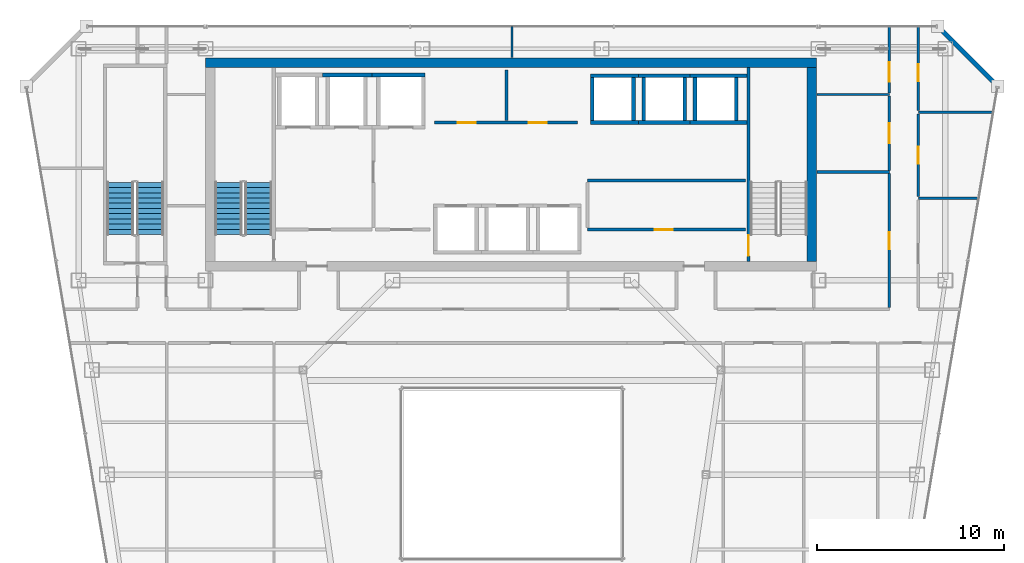
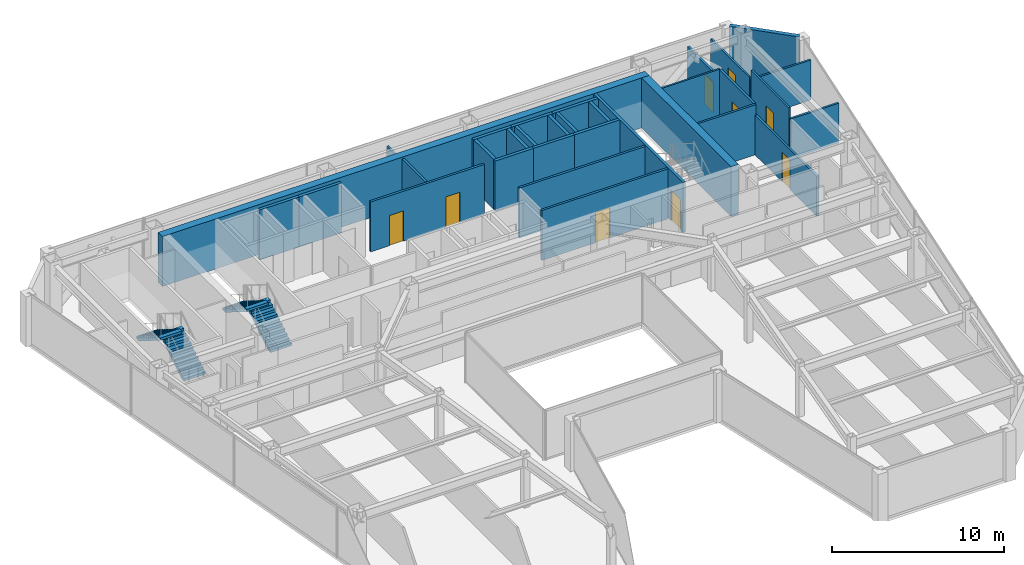
# One storey, part 32 of 36: 32 walls, 9 doors, 4 stair flights, 9 openings, 2 elements without a shape of their own.
"""IFC4 building model written with IfcOpenShell, lengths in metres."""

from ifc_helpers import new_model, si_unit, direction, frame, frame_2d, origin, place, context, subcontext, project, spatial, polyline, rectangle, outline, extrude, material, layer, layer_set, type_object, element, fill, aggregate, save


model = new_model("IFC4")

# Units and contexts
model_context = context("Model", 3, precision=1e-05, world=origin(), true_north=direction((0.0, 1.0)))
body_context = subcontext(model_context, "Body", "Model", "MODEL_VIEW")
ifc_project = project(units=[si_unit("LENGTHUNIT", "METRE"), si_unit("AREAUNIT", "SQUARE_METRE"), si_unit("VOLUMEUNIT", "CUBIC_METRE"), si_unit("PLANEANGLEUNIT", "RADIAN"), si_unit("MASSUNIT", "GRAM", prefix="KILO")], contexts=[model_context])

# Site, building, storey
site_placement = place(None, origin())
site = spatial("IfcSite", under=ifc_project, at=site_placement, CompositionType="ELEMENT")
building_placement = place(site_placement, origin())
building = spatial("IfcBuilding", under=site, at=building_placement, Name="Saevonmaru Cultural Tower", CompositionType="ELEMENT")
storey_placement = place(building_placement, frame((0.0, 0.0, 209.39990234375)))
storey = spatial("IfcBuildingStorey", under=building, at=storey_placement, Name="L48", CompositionType="ELEMENT", Elevation=209.39990234375)

# Walls
ifc_material_1 = material(Name="Concrete C60/75", Category="concrete")
ifc_layer_1 = layer(ifc_material_1, 0.5, Name="Concrete C60/75")
ifc_layer_set_1 = layer_set([ifc_layer_1], Name="Concrete C60/75")
wall_type_1 = type_object("IfcWallType", Name="WL-CORE-500", PredefinedType="SHEAR", material=ifc_layer_set_1)
wall_1_placement = place(storey_placement, frame((13.60009765625, 54.050048828125, 0.0), z_axis=(0.0, 0.0, 1.0), x_axis=(1.0, 0.0, 0.0)))
element("IfcWall", 1, at=wall_1_placement, inside=storey, type_object=wall_type_1, Name="L48 Tower RC core shear wall N", PredefinedType="SHEAR", context=body_context, shape_type="SweptSolid", body=[
    extrude(rectangle(XDim=32.699951171875, YDim=0.5, at=frame_2d((16.35009765625, 0.0))), origin(), (0.0, 0.0, 1.0), 3.550048828125),
])
wall_2_placement = place(storey_placement, frame((46.050048828125, 43.39990234375, 0.0), z_axis=(0.0, 0.0, 1.0), x_axis=(0.0, 1.0, 0.0)))
element("IfcWall", 2, at=wall_2_placement, inside=storey, type_object=wall_type_1, Name="L48 Tower RC core shear wall E", PredefinedType="SHEAR", context=body_context, shape_type="SweptSolid", body=[
    extrude(rectangle(XDim=10.400146484375, YDim=0.5, at=frame_2d((5.2001953125, 0.0))), origin(), (0.0, 0.0, 1.0), 3.550048828125),
])

# Wall, opening, door
ifc_material_2 = material(Name="Gypsum Fireboard Partition", Category="gypsum")
ifc_layer_2 = layer(ifc_material_2, 0.14990234375, Name="Gypsum Fireboard Partition")
ifc_layer_set_2 = layer_set([ifc_layer_2], Name="Gypsum Fireboard Partition")
wall_type_2 = type_object("IfcWallType", Name="WL-CORE-PART-150", PredefinedType="PARTITIONING", material=ifc_layer_set_2)
wall_3_placement = place(storey_placement, frame((34.050048828125, 45.1201171875, 0.0), z_axis=(0.0, 0.0, 1.0), x_axis=(1.0, 0.0, 0.0)))
wall_3 = element("IfcWall", 3, at=wall_3_placement, inside=storey, type_object=wall_type_2, Name="L48 Core Service South Wall", PredefinedType="PARTITIONING", context=body_context, shape_type="SweptSolid", body=[
    extrude(rectangle(XDim=8.449951171875, YDim=0.14990234375, at=frame_2d((4.22509765625, 0.0))), origin(), (0.0, 0.0, 1.0), 3.550048828125),
])
opening_1_placement = place(wall_3_placement, frame((3.60009765625, 0.0, 0.0)))
opening_1 = element("IfcOpeningElement", 4, at=opening_1_placement, cuts=wall_3, Name="Opening FD-4", PredefinedType="OPENING", context=body_context, shape_type="SweptSolid", body=[
    extrude(rectangle(XDim=0.949951171875, YDim=2.14990234375, at=frame_2d((0.47509765625, 1.074951171875))), frame((0.0, 0.0849609375, 0.0), z_axis=(0.0, -1.0, 0.0), x_axis=(1.0, 0.0, 0.0)), (0.0, 0.0, 1.0), 0.169921875),
])
ifc_material_3 = material(Name="Satin Bronze Anodised Aluminium", Category="aluminium")
door_type_1 = type_object("IfcDoorType", Name="DR-FD60-950", OperationType="SINGLE_SWING_LEFT", PredefinedType="DOOR", material=ifc_material_3)
door_1_placement = place(opening_1_placement, origin())
door_1 = element("IfcDoor", 5, at=door_1_placement, inside=storey, type_object=door_type_1, Name="L48 Telecom Riser Plant Door", OperationType="SINGLE_SWING_LEFT", OverallHeight=2.14990234375, OverallWidth=0.949951171875, PredefinedType="DOOR", context=body_context, shape_type="SweptSolid", body=[
    extrude(rectangle(XDim=0.949951171875, YDim=2.14990234375, at=frame_2d((0.47509765625, 1.074951171875))), frame((0.0, 0.02490234375, 0.0), z_axis=(0.0, -1.0, 0.0), x_axis=(1.0, 0.0, 0.0)), (0.0, 0.0, 1.0), 0.050048828125),
])
fill(opening_1, door_1)

# Wall
wall_4_placement = place(storey_placement, frame((34.050048828125, 47.75, 0.0), z_axis=(0.0, 0.0, 1.0), x_axis=(1.0, 0.0, 0.0)))
element("IfcWall", 6, at=wall_4_placement, inside=storey, type_object=wall_type_2, Name="L48 Core Service North Wall", PredefinedType="PARTITIONING", context=body_context, shape_type="SweptSolid", body=[
    extrude(rectangle(XDim=8.449951171875, YDim=0.14990234375, at=frame_2d((4.22509765625, 0.0))), origin(), (0.0, 0.0, 1.0), 3.550048828125),
])

# Wall, openings, doors
wall_5_placement = place(storey_placement, frame((25.85009765625, 50.85009765625, 0.0), z_axis=(0.0, 0.0, 1.0), x_axis=(1.0, 0.0, 0.0)))
wall_5 = element("IfcWall", 7, at=wall_5_placement, inside=storey, type_object=wall_type_2, Name="L48 Reclaimed Core Room South Wall", PredefinedType="PARTITIONING", context=body_context, shape_type="SweptSolid", body=[
    extrude(rectangle(XDim=7.64990234375, YDim=0.14990234375, at=frame_2d((3.824951171875, 0.0))), origin(), (0.0, 0.0, 1.0), 3.550048828125),
])
opening_2_placement = place(wall_5_placement, frame((1.25, 0.0, 0.0)))
opening_2 = element("IfcOpeningElement", 8, at=opening_2_placement, cuts=wall_5, Name="Opening FD-4", PredefinedType="OPENING", context=body_context, shape_type="SweptSolid", body=[
    extrude(rectangle(XDim=0.949951171875, YDim=2.14990234375, at=frame_2d((0.47509765625, 1.074951171875))), frame((0.0, 0.0849609375, 0.0), z_axis=(0.0, -1.0, 0.0), x_axis=(1.0, 0.0, 0.0)), (0.0, 0.0, 1.0), 0.169921875),
])
opening_3_placement = place(wall_5_placement, frame((5.050048828125, 0.0, 0.0)))
opening_3 = element("IfcOpeningElement", 9, at=opening_3_placement, cuts=wall_5, Name="Opening FD-4", PredefinedType="OPENING", context=body_context, shape_type="SweptSolid", body=[
    extrude(rectangle(XDim=0.949951171875, YDim=2.14990234375, at=frame_2d((0.47509765625, 1.074951171875))), frame((0.0, 0.0849609375, 0.0), z_axis=(0.0, -1.0, 0.0), x_axis=(1.0, 0.0, 0.0)), (0.0, 0.0, 1.0), 0.169921875),
])
door_2_placement = place(opening_2_placement, origin())
door_2 = element("IfcDoor", 10, at=door_2_placement, inside=storey, type_object=door_type_1, Name="L48 Reclaimed Archive Vault Door", OperationType="SINGLE_SWING_LEFT", OverallHeight=2.14990234375, OverallWidth=0.949951171875, PredefinedType="DOOR", context=body_context, shape_type="SweptSolid", body=[
    extrude(rectangle(XDim=0.949951171875, YDim=2.14990234375, at=frame_2d((0.47509765625, 1.074951171875))), frame((0.0, 0.02490234375, 0.0), z_axis=(0.0, -1.0, 0.0), x_axis=(1.0, 0.0, 0.0)), (0.0, 0.0, 1.0), 0.050048828125),
])
fill(opening_2, door_2)
door_3_placement = place(opening_3_placement, origin())
door_3 = element("IfcDoor", 11, at=door_3_placement, inside=storey, type_object=door_type_1, Name="L48 Reclaimed Conservation Storage Door", OperationType="SINGLE_SWING_LEFT", OverallHeight=2.14990234375, OverallWidth=0.949951171875, PredefinedType="DOOR", context=body_context, shape_type="SweptSolid", body=[
    extrude(rectangle(XDim=0.949951171875, YDim=2.14990234375, at=frame_2d((0.47509765625, 1.074951171875))), frame((0.0, 0.02490234375, 0.0), z_axis=(0.0, -1.0, 0.0), x_axis=(1.0, 0.0, 0.0)), (0.0, 0.0, 1.0), 0.050048828125),
])
fill(opening_3, door_3)

# Walls
wall_6_placement = place(storey_placement, frame((29.699951171875, 50.949951171875, 0.0), z_axis=(0.0, 0.0, 1.0), x_axis=(0.0, 1.0, 0.0)))
element("IfcWall", 12, at=wall_6_placement, inside=storey, type_object=wall_type_2, Name="L48 Reclaimed Vault Split", PredefinedType="PARTITIONING", context=body_context, shape_type="SweptSolid", body=[
    extrude(rectangle(XDim=2.699951171875, YDim=0.14990234375, at=frame_2d((1.35009765625, 0.0))), origin(), (0.0, 0.0, 1.0), 3.550048828125),
])
ifc_material_4 = material(Name="Granite-Clad Precast Concrete C40/50", Category="masonry")
ifc_layer_3 = layer(ifc_material_4, 0.260009765625, Name="Granite-Clad Precast Concrete C40/50")
ifc_layer_set_3 = layer_set([ifc_layer_3], Name="Granite-Clad Precast Concrete C40/50")
wall_type_3 = type_object("IfcWallType", Name="WL-EXT-SPANDREL-260", PredefinedType="STANDARD", material=ifc_layer_set_3)
wall_7_placement = place(storey_placement, frame((55.886962890625, 52.9130859375, 0.0), z_axis=(0.0, 0.0, 1.0), x_axis=(-0.707106781187, 0.707106781187, 0.0)))
element("IfcWall", 13, at=wall_7_placement, inside=storey, type_object=wall_type_3, Name="L48 Chamfer Corner Spandrel Wall E9", PredefinedType="STANDARD", context=body_context, shape_type="SweptSolid", body=[
    extrude(rectangle(XDim=4.205810546875, YDim=0.260009765625, at=frame_2d((2.10302734375, 0.0))), origin(), (0.0, 0.0, 1.0), 3.550048828125),
])

# Wall, opening, door
ifc_layer_4 = layer(ifc_material_2, 0.14990234375, Name="Gypsum Fireboard Partition")
ifc_layer_set_4 = layer_set([ifc_layer_4], Name="Gypsum Fireboard Partition")
wall_type_4 = type_object("IfcWallType", Name="WL-PART-FIRE-150", PredefinedType="PARTITIONING", material=ifc_layer_set_4)
wall_8_placement = place(storey_placement, frame((50.199951171875, 48.2900390625, 0.0), z_axis=(0.0, 0.0, 1.0), x_axis=(0.0, 1.0, 0.0)))
wall_8 = element("IfcWall", 14, at=wall_8_placement, inside=storey, type_object=wall_type_4, Name="L48 Permanent Exhibition Gallery Corridor Wall", PredefinedType="PARTITIONING", context=body_context, shape_type="SweptSolid", body=[
    extrude(rectangle(XDim=3.97998046875, YDim=0.14990234375, at=frame_2d((1.989990234375, 0.0))), origin(), (0.0, 0.0, 1.0), 3.550048828125),
])
opening_4_placement = place(wall_8_placement, frame((1.465087890625, 0.0, 0.0)))
opening_4 = element("IfcOpeningElement", 15, at=opening_4_placement, cuts=wall_8, Name="Opening ID-1", PredefinedType="OPENING", context=body_context, shape_type="SweptSolid", body=[
    extrude(rectangle(XDim=1.050048828125, YDim=2.14990234375, at=frame_2d((0.52490234375, 1.074951171875))), frame((0.0, 0.0849609375, 0.0), z_axis=(0.0, -1.0, 0.0), x_axis=(1.0, 0.0, 0.0)), (0.0, 0.0, 1.0), 0.169921875),
])
door_type_2 = type_object("IfcDoorType", Name="DR-INT-1050", OperationType="SINGLE_SWING_LEFT", PredefinedType="DOOR", material=ifc_material_3)
door_4_placement = place(opening_4_placement, origin())
door_4 = element("IfcDoor", 16, at=door_4_placement, inside=storey, type_object=door_type_2, Name="L48 Permanent Exhibition Gallery Door", OperationType="SINGLE_SWING_LEFT", OverallHeight=2.14990234375, OverallWidth=1.050048828125, PredefinedType="DOOR", context=body_context, shape_type="SweptSolid", body=[
    extrude(rectangle(XDim=1.050048828125, YDim=2.14990234375, at=frame_2d((0.52490234375, 1.074951171875))), frame((0.0, 0.02490234375, 0.0), z_axis=(0.0, -1.0, 0.0), x_axis=(1.0, 0.0, 0.0)), (0.0, 0.0, 1.0), 0.050048828125),
])
fill(opening_4, door_4)

wall_9_placement = place(storey_placement, frame((50.199951171875, 52.429931640625, 0.0), z_axis=(0.0, 0.0, 1.0), x_axis=(0.0, 1.0, 0.0)))
wall_9 = element("IfcWall", 17, at=wall_9_placement, inside=storey, type_object=wall_type_4, Name="L48 Contemporary Photography Gallery Corridor Wall", PredefinedType="PARTITIONING", context=body_context, shape_type="SweptSolid", body=[
    extrude(rectangle(XDim=3.565185546875, YDim=0.14990234375, at=frame_2d((1.78271484375, 0.0))), origin(), (0.0, 0.0, 1.0), 2.93505859375),
])
opening_5_placement = place(wall_9_placement, frame((0.596923828125, 0.0, 0.0)))
opening_5 = element("IfcOpeningElement", 18, at=opening_5_placement, cuts=wall_9, Name="Opening ID-1", PredefinedType="OPENING", context=body_context, shape_type="SweptSolid", body=[
    extrude(rectangle(XDim=1.050048828125, YDim=2.14990234375, at=frame_2d((0.52490234375, 1.074951171875))), frame((0.0, 0.0849609375, 0.0), z_axis=(0.0, -1.0, 0.0), x_axis=(1.0, 0.0, 0.0)), (0.0, 0.0, 1.0), 0.169921875),
])
door_5_placement = place(opening_5_placement, origin())
door_5 = element("IfcDoor", 19, at=door_5_placement, inside=storey, type_object=door_type_2, Name="L48 Contemporary Photography Gallery Door", OperationType="SINGLE_SWING_RIGHT", OverallHeight=2.14990234375, OverallWidth=1.050048828125, PredefinedType="DOOR", context=body_context, shape_type="SweptSolid", body=[
    extrude(rectangle(XDim=1.050048828125, YDim=2.14990234375, at=frame_2d((0.52490234375, 1.074951171875))), frame((0.0, 0.02490234375, 0.0), z_axis=(0.0, -1.0, 0.0), x_axis=(1.0, 0.0, 0.0)), (0.0, 0.0, 1.0), 0.050048828125),
])
fill(opening_5, door_5)

# Walls
ifc_layer_5 = layer(ifc_material_2, 0.1201171875, Name="Gypsum Fireboard Partition")
ifc_layer_set_5 = layer_set([ifc_layer_5], Name="Gypsum Fireboard Partition")
wall_type_5 = type_object("IfcWallType", Name="WL-PART-GYP-120", PredefinedType="PARTITIONING", material=ifc_layer_set_5)
wall_10_placement = place(storey_placement, frame((46.320068359375, 52.35009765625, 0.0), z_axis=(0.0, 0.0, 1.0), x_axis=(1.0, 0.0, 0.0)))
element("IfcWall", 20, at=wall_10_placement, inside=storey, type_object=wall_type_5, Name="L48 North-East Panorama South Wall", PredefinedType="PARTITIONING", context=body_context, shape_type="SweptSolid", body=[
    extrude(rectangle(XDim=3.8798828125, YDim=0.1201171875, at=frame_2d((1.93994140625, 0.0))), origin(), (0.0, 0.0, 1.0), 3.550048828125),
])
wall_11_placement = place(storey_placement, frame((30.0, 54.320068359375, 0.0), z_axis=(0.0, 0.0, 1.0), x_axis=(0.0, 1.0, 0.0)))
element("IfcWall", 21, at=wall_11_placement, inside=storey, type_object=wall_type_5, Name="L48 North Panorama Center Split", PredefinedType="PARTITIONING", context=body_context, shape_type="SweptSolid", body=[
    extrude(rectangle(XDim=1.675048828125, YDim=0.1201171875, at=frame_2d((0.83740234375, 0.0))), origin(), (0.0, 0.0, 1.0), 2.93505859375),
])

# Wall, opening, door
wall_12_placement = place(storey_placement, frame((51.75, 46.887451171875, 0.0), z_axis=(0.0, 0.0, 1.0), x_axis=(0.0, 1.0, 0.0)))
wall_12 = element("IfcWall", 22, at=wall_12_placement, inside=storey, type_object=wall_type_5, Name="L48 Urban Design Meeting Room Corridor Wall", PredefinedType="PARTITIONING", context=body_context, shape_type="SweptSolid", body=[
    extrude(rectangle(XDim=4.425048828125, YDim=0.1201171875, at=frame_2d((2.21240234375, 0.0))), origin(), (0.0, 0.0, 1.0), 3.550048828125),
])
opening_6_placement = place(wall_12_placement, frame((1.761962890625, 0.0, 0.0)))
opening_6 = element("IfcOpeningElement", 23, at=opening_6_placement, cuts=wall_12, Name="Opening ID-2", PredefinedType="OPENING", context=body_context, shape_type="SweptSolid", body=[
    extrude(rectangle(XDim=0.89990234375, YDim=2.10009765625, at=frame_2d((0.449951171875, 1.050048828125))), frame((0.0, 0.070068359375, 0.0), z_axis=(0.0, -1.0, 0.0), x_axis=(1.0, 0.0, 0.0)), (0.0, 0.0, 1.0), 0.14013671875),
])
ifc_material_5 = material(Name="Acoustic Stained Oak Timber", Category="wood")
door_type_3 = type_object("IfcDoorType", Name="DR-INT-900", OperationType="SINGLE_SWING_RIGHT", PredefinedType="DOOR", material=ifc_material_5)
door_6_placement = place(opening_6_placement, origin())
door_6 = element("IfcDoor", 24, at=door_6_placement, inside=storey, type_object=door_type_3, Name="L48 Urban Design Meeting Room Door", OperationType="SINGLE_SWING_RIGHT", OverallHeight=2.10009765625, OverallWidth=0.89990234375, PredefinedType="DOOR", context=body_context, shape_type="SweptSolid", body=[
    extrude(rectangle(XDim=0.89990234375, YDim=2.10009765625, at=frame_2d((0.449951171875, 1.050048828125))), frame((0.0, 0.02490234375, 0.0), z_axis=(0.0, -1.0, 0.0), x_axis=(1.0, 0.0, 0.0)), (0.0, 0.0, 1.0), 0.050048828125),
])
fill(opening_6, door_6)

wall_13_placement = place(storey_placement, frame((51.75, 51.487548828125, 0.0), z_axis=(0.0, 0.0, 1.0), x_axis=(0.0, 1.0, 0.0)))
wall_13 = element("IfcWall", 25, at=wall_13_placement, inside=storey, type_object=wall_type_5, Name="L48 Calligraphy Teaching Studio Corridor Wall", PredefinedType="PARTITIONING", context=body_context, shape_type="SweptSolid", body=[
    extrude(rectangle(XDim=4.507568359375, YDim=0.1201171875, at=frame_2d((2.25390625, 0.0))), origin(), (0.0, 0.0, 1.0), 2.93505859375),
])
opening_7_placement = place(wall_13_placement, frame((1.583984375, 0.0, 0.0)))
opening_7 = element("IfcOpeningElement", 26, at=opening_7_placement, cuts=wall_13, Name="Opening ID-2", PredefinedType="OPENING", context=body_context, shape_type="SweptSolid", body=[
    extrude(rectangle(XDim=0.89990234375, YDim=2.10009765625, at=frame_2d((0.449951171875, 1.050048828125))), frame((0.0, 0.070068359375, 0.0), z_axis=(0.0, -1.0, 0.0), x_axis=(1.0, 0.0, 0.0)), (0.0, 0.0, 1.0), 0.14013671875),
])
door_7_placement = place(opening_7_placement, origin())
door_7 = element("IfcDoor", 27, at=door_7_placement, inside=storey, type_object=door_type_3, Name="L48 Calligraphy Teaching Studio Door", OperationType="SINGLE_SWING_LEFT", OverallHeight=2.10009765625, OverallWidth=0.89990234375, PredefinedType="DOOR", context=body_context, shape_type="SweptSolid", body=[
    extrude(rectangle(XDim=0.89990234375, YDim=2.10009765625, at=frame_2d((0.449951171875, 1.050048828125))), frame((0.0, 0.02490234375, 0.0), z_axis=(0.0, -1.0, 0.0), x_axis=(1.0, 0.0, 0.0)), (0.0, 0.0, 1.0), 0.050048828125),
])
fill(opening_7, door_7)

# Walls
ifc_layer_6 = layer(ifc_material_2, 0.135009765625, Name="Gypsum Fireboard Partition")
ifc_layer_set_6 = layer_set([ifc_layer_6], Name="Gypsum Fireboard Partition")
wall_type_6 = type_object("IfcWallType", Name="WL-PART-GYP-135", PredefinedType="PARTITIONING", material=ifc_layer_set_6)
wall_14_placement = place(storey_placement, frame((51.75, 46.800048828125, 0.0), z_axis=(0.0, 0.0, 1.0), x_axis=(1.0, 0.0, 0.0)))
element("IfcWall", 28, at=wall_14_placement, inside=storey, type_object=wall_type_6, Name="L48 NE Studio Divider 1", PredefinedType="PARTITIONING", context=body_context, shape_type="SweptSolid", body=[
    extrude(rectangle(XDim=3.229248046875, YDim=0.135009765625, at=frame_2d((1.61474609375, 0.0))), origin(), (0.0, 0.0, 1.0), 2.835205078125),
])
wall_15_placement = place(storey_placement, frame((51.75, 51.39990234375, 0.0), z_axis=(0.0, 0.0, 1.0), x_axis=(1.0, 0.0, 0.0)))
element("IfcWall", 29, at=wall_15_placement, inside=storey, type_object=wall_type_6, Name="L48 NE Studio Divider 2", PredefinedType="PARTITIONING", context=body_context, shape_type="SweptSolid", body=[
    extrude(rectangle(XDim=4.0078125, YDim=0.135009765625, at=frame_2d((2.00390625, 0.0))), origin(), (0.0, 0.0, 1.0), 2.835205078125),
])
ifc_layer_7 = layer(ifc_material_2, 0.139892578125, Name="Gypsum Fireboard Partition")
ifc_layer_set_7 = layer_set([ifc_layer_7], Name="Gypsum Fireboard Partition")
wall_type_7 = type_object("IfcWallType", Name="WL-PART-WET-140", PredefinedType="PARTITIONING", material=ifc_layer_set_7)
wall_16_placement = place(storey_placement, frame((46.320068359375, 48.199951171875, 0.0), z_axis=(0.0, 0.0, 1.0), x_axis=(1.0, 0.0, 0.0)))
element("IfcWall", 30, at=wall_16_placement, inside=storey, type_object=wall_type_7, Name="L48 Washroom North Wall", PredefinedType="PARTITIONING", context=body_context, shape_type="SweptSolid", body=[
    extrude(rectangle(XDim=3.8798828125, YDim=0.139892578125, at=frame_2d((1.93994140625, 0.0))), origin(), (0.0, 0.0, 1.0), 3.550048828125),
])

# Wall, opening, door
wall_17_placement = place(storey_placement, frame((50.199951171875, 40.93994140625, 0.0), z_axis=(0.0, 0.0, 1.0), x_axis=(0.0, 1.0, 0.0)))
wall_17 = element("IfcWall", 31, at=wall_17_placement, inside=storey, type_object=wall_type_7, Name="L48 Washroom Corridor Wall", PredefinedType="PARTITIONING", context=body_context, shape_type="SweptSolid", body=[
    extrude(rectangle(XDim=7.170166015625, YDim=0.139892578125, at=frame_2d((3.5849609375, 0.0))), origin(), (0.0, 0.0, 1.0), 2.835205078125),
])
opening_8_placement = place(wall_17_placement, frame((3.135009765625, 0.0, 0.0)))
opening_8 = element("IfcOpeningElement", 32, at=opening_8_placement, cuts=wall_17, Name="Opening ID-2", PredefinedType="OPENING", context=body_context, shape_type="SweptSolid", body=[
    extrude(rectangle(XDim=0.89990234375, YDim=2.10009765625, at=frame_2d((0.449951171875, 1.050048828125))), frame((0.0, 0.080078125, 0.0), z_axis=(0.0, -1.0, 0.0), x_axis=(1.0, 0.0, 0.0)), (0.0, 0.0, 1.0), 0.159912109375),
])
door_8_placement = place(opening_8_placement, origin())
door_8 = element("IfcDoor", 33, at=door_8_placement, inside=storey, type_object=door_type_3, Name="L48 Public Accessible Washrooms Door", OperationType="SINGLE_SWING_RIGHT", OverallHeight=2.10009765625, OverallWidth=0.89990234375, PredefinedType="DOOR", context=body_context, shape_type="SweptSolid", body=[
    extrude(rectangle(XDim=0.89990234375, YDim=2.10009765625, at=frame_2d((0.449951171875, 1.050048828125))), frame((0.0, 0.02490234375, 0.0), z_axis=(0.0, -1.0, 0.0), x_axis=(1.0, 0.0, 0.0)), (0.0, 0.0, 1.0), 0.050048828125),
])
fill(opening_8, door_8)

# Walls
ifc_material_6 = material(Name="Concrete C40/50", Category="concrete")
ifc_layer_8 = layer(ifc_material_6, 0.199951171875, Name="Concrete C40/50")
ifc_layer_set_8 = layer_set([ifc_layer_8], Name="Concrete C40/50")
wall_type_8 = type_object("IfcWallType", Name="WL-SHAFT-200", PredefinedType="SHEAR", material=ifc_layer_set_8)
wall_18_placement = place(storey_placement, frame((19.85009765625, 53.39990234375, 0.0), z_axis=(0.0, 0.0, 1.0), x_axis=(1.0, 0.0, 0.0)))
element("IfcWall", 34, at=wall_18_placement, inside=storey, type_object=wall_type_8, Name="L48 Lift FFL-2 Hoistway Wall N", PredefinedType="SHEAR", context=body_context, shape_type="SweptSolid", body=[
    extrude(rectangle(XDim=2.64990234375, YDim=0.199951171875, at=frame_2d((1.324951171875, 0.0))), origin(), (0.0, 0.0, 1.0), 3.550048828125),
])
wall_19_placement = place(storey_placement, frame((22.5, 53.39990234375, 0.0), z_axis=(0.0, 0.0, 1.0), x_axis=(1.0, 0.0, 0.0)))
element("IfcWall", 35, at=wall_19_placement, inside=storey, type_object=wall_type_8, Name="L48 Lift GL-1 Hoistway Wall N", PredefinedType="SHEAR", context=body_context, shape_type="SweptSolid", body=[
    extrude(rectangle(XDim=2.85009765625, YDim=0.199951171875, at=frame_2d((1.425048828125, 0.0))), origin(), (0.0, 0.0, 1.0), 3.550048828125),
])
for number, where, z_axis, x_axis, name in (
    (36, (34.199951171875, 50.85009765625, 0.0), (0.0, 0.0, 1.0), (1.0, 0.0, 0.0), "L48 Lift PL-H1 Hoistway Wall S"),
    (37, (34.199951171875, 53.35009765625, 0.0), (0.0, 0.0, 1.0), (1.0, 0.0, 0.0), "L48 Lift PL-H1 Hoistway Wall N"),
):
    element("IfcWall", number, at=place(storey_placement, frame(where, z_axis=z_axis, x_axis=x_axis)), inside=storey, type_object=wall_type_8, Name=name, PredefinedType="SHEAR", context=body_context, shape_type="SweptSolid", body=[
        extrude(rectangle(XDim=2.574951171875, YDim=0.199951171875, at=frame_2d((1.28759765625, 0.0))), origin(), (0.0, 0.0, 1.0), 3.550048828125),
    ])
for number, where, z_axis, x_axis, name in (
    (38, (34.300048828125, 50.949951171875, 0.0), (0.0, 0.0, 1.0), (0.0, 1.0, 0.0), "L48 Lift PL-H1 Hoistway Wall W"),
    (39, (36.5, 50.949951171875, 0.0), (0.0, 0.0, 1.0), (0.0, 1.0, 0.0), "L48 Lift PL-H1 Hoistway Wall E"),
):
    element("IfcWall", number, at=place(storey_placement, frame(where, z_axis=z_axis, x_axis=x_axis)), inside=storey, type_object=wall_type_8, Name=name, PredefinedType="SHEAR", context=body_context, shape_type="SweptSolid", body=[
        extrude(rectangle(XDim=2.300048828125, YDim=0.199951171875, at=frame_2d((1.14990234375, 0.0))), origin(), (0.0, 0.0, 1.0), 3.550048828125),
    ])
for number, where, z_axis, x_axis, name in (
    (40, (36.77490234375, 50.85009765625, 0.0), (0.0, 0.0, 1.0), (1.0, 0.0, 0.0), "L48 Lift PL-H2 Hoistway Wall S"),
    (41, (36.77490234375, 53.35009765625, 0.0), (0.0, 0.0, 1.0), (1.0, 0.0, 0.0), "L48 Lift PL-H2 Hoistway Wall N"),
):
    element("IfcWall", number, at=place(storey_placement, frame(where, z_axis=z_axis, x_axis=x_axis)), inside=storey, type_object=wall_type_8, Name=name, PredefinedType="SHEAR", context=body_context, shape_type="SweptSolid", body=[
        extrude(rectangle(XDim=2.75, YDim=0.199951171875, at=frame_2d((1.375, 0.0))), origin(), (0.0, 0.0, 1.0), 3.550048828125),
    ])
for number, where, z_axis, x_axis, name in (
    (42, (37.050048828125, 50.949951171875, 0.0), (0.0, 0.0, 1.0), (0.0, 1.0, 0.0), "L48 Lift PL-H2 Hoistway Wall W"),
    (43, (39.25, 50.949951171875, 0.0), (0.0, 0.0, 1.0), (0.0, 1.0, 0.0), "L48 Lift PL-H2 Hoistway Wall E"),
):
    element("IfcWall", number, at=place(storey_placement, frame(where, z_axis=z_axis, x_axis=x_axis)), inside=storey, type_object=wall_type_8, Name=name, PredefinedType="SHEAR", context=body_context, shape_type="SweptSolid", body=[
        extrude(rectangle(XDim=2.300048828125, YDim=0.199951171875, at=frame_2d((1.14990234375, 0.0))), origin(), (0.0, 0.0, 1.0), 3.550048828125),
    ])
for number, where, z_axis, x_axis, name in (
    (44, (39.52490234375, 50.85009765625, 0.0), (0.0, 0.0, 1.0), (1.0, 0.0, 0.0), "L48 Lift PL-H3 Hoistway Wall S"),
    (45, (39.52490234375, 53.35009765625, 0.0), (0.0, 0.0, 1.0), (1.0, 0.0, 0.0), "L48 Lift PL-H3 Hoistway Wall N"),
):
    element("IfcWall", number, at=place(storey_placement, frame(where, z_axis=z_axis, x_axis=x_axis)), inside=storey, type_object=wall_type_8, Name=name, PredefinedType="SHEAR", context=body_context, shape_type="SweptSolid", body=[
        extrude(rectangle(XDim=3.045166015625, YDim=0.199951171875, at=frame_2d((1.5224609375, 0.0))), origin(), (0.0, 0.0, 1.0), 3.550048828125),
    ])
for number, where, z_axis, x_axis, name in (
    (46, (39.800048828125, 50.949951171875, 0.0), (0.0, 0.0, 1.0), (0.0, 1.0, 0.0), "L48 Lift PL-H3 Hoistway Wall W"),
    (47, (42.0, 50.949951171875, 0.0), (0.0, 0.0, 1.0), (0.0, 1.0, 0.0), "L48 Lift PL-H3 Hoistway Wall E"),
):
    element("IfcWall", number, at=place(storey_placement, frame(where, z_axis=z_axis, x_axis=x_axis)), inside=storey, type_object=wall_type_8, Name=name, PredefinedType="SHEAR", context=body_context, shape_type="SweptSolid", body=[
        extrude(rectangle(XDim=2.300048828125, YDim=0.199951171875, at=frame_2d((1.14990234375, 0.0))), origin(), (0.0, 0.0, 1.0), 3.550048828125),
    ])

# Wall, opening, door
ifc_layer_9 = layer(ifc_material_6, 0.179931640625, Name="Concrete C40/50")
ifc_layer_set_9 = layer_set([ifc_layer_9], Name="Concrete C40/50")
wall_type_9 = type_object("IfcWallType", Name="WL-STSHAFT-180", PredefinedType="SHEAR", material=ifc_layer_set_9)
wall_20_placement = place(storey_placement, frame((42.659912109375, 53.800048828125, 0.0), z_axis=(0.0, 0.0, 1.0), x_axis=(0.0, -1.0, 0.0)))
wall_20 = element("IfcWall", 48, at=wall_20_placement, inside=storey, type_object=wall_type_9, Name="L48 Stair ST-2 Structural Shaft Wall 1", PredefinedType="SHEAR", context=body_context, shape_type="SweptSolid", body=[
    extrude(rectangle(XDim=10.400146484375, YDim=0.179931640625, at=frame_2d((5.2001953125, 0.0))), origin(), (0.0, 0.0, 1.0), 3.550048828125),
])
opening_9_placement = place(wall_20_placement, frame((8.989990234375, 0.0, 0.0)))
opening_9 = element("IfcOpeningElement", 49, at=opening_9_placement, cuts=wall_20, Name="Opening FD-2", PredefinedType="OPENING", context=body_context, shape_type="SweptSolid", body=[
    extrude(rectangle(XDim=1.10009765625, YDim=2.14990234375, at=frame_2d((0.550048828125, 1.074951171875))), frame((0.0, 0.10009765625, 0.0), z_axis=(0.0, -1.0, 0.0), x_axis=(1.0, 0.0, 0.0)), (0.0, 0.0, 1.0), 0.199951171875),
])
door_type_4 = type_object("IfcDoorType", Name="DR-FD60-1100", OperationType="SINGLE_SWING_LEFT", PredefinedType="DOOR", material=ifc_material_3)
door_9_placement = place(opening_9_placement, origin())
door_9 = element("IfcDoor", 50, at=door_9_placement, inside=storey, type_object=door_type_4, Name="L48 Protected Stair ST-2 Fire Door", OperationType="SINGLE_SWING_LEFT", OverallHeight=2.14990234375, OverallWidth=1.10009765625, PredefinedType="DOOR", context=body_context, shape_type="SweptSolid", body=[
    extrude(rectangle(XDim=1.10009765625, YDim=2.14990234375, at=frame_2d((0.550048828125, 1.074951171875))), frame((0.0, 0.02490234375, 0.0), z_axis=(0.0, -1.0, 0.0), x_axis=(1.0, 0.0, 0.0)), (0.0, 0.0, 1.0), 0.050048828125),
])
fill(opening_9, door_9)

# Stair, stair flights
stair_type = type_object("IfcStairType", Name="STR-DOGLEG-RC", PredefinedType="HALF_TURN_STAIR", material=ifc_material_6)
stair_1_placement = place(storey_placement, origin())
stair_1 = element("IfcStair", 51, at=stair_1_placement, inside=storey, type_object=stair_type, Name="L48 Protected exit stair ST-1", PredefinedType="HALF_TURN_STAIR")
ifc_material_7 = material(Name="Precast concrete C40/50", Category="concrete")
stair_flight_type = type_object("IfcStairFlightType", Name="STF-PRECAST-180", PredefinedType="STRAIGHT", material=ifc_material_7)
stair_flight_1_placement = place(storey_placement, frame((16.425048828125, 44.85009765625, 0.0), z_axis=(0.0, 0.0, 1.0), x_axis=(0.0, 1.0, 0.0)))
stair_flight_1 = element("IfcStairFlight", 52, at=stair_flight_1_placement, type_object=stair_flight_type, Name="ST-1-L48 flight 1", NumberOfRisers=11, NumberOfTreads=10, PredefinedType="STRAIGHT", RiserHeight=0.172727273, TreadLength=0.28, context=body_context, shape_type="SweptSolid", body=[
    extrude(outline(polyline([(0.0, 0.0), (0.0, 0.172607421875), (0.280029296875, 0.172607421875), (0.280029296875, 0.345458984375), (0.56005859375, 0.345458984375), (0.56005859375, 0.51806640625), (0.840087890625, 0.51806640625), (0.840087890625, 0.69091796875), (1.1201171875, 0.69091796875), (1.1201171875, 0.863525390625), (1.39990234375, 0.863525390625), (1.39990234375, 1.036376953125), (1.679931640625, 1.036376953125), (1.679931640625, 1.208984375), (1.9599609375, 1.208984375), (1.9599609375, 1.3818359375), (2.239990234375, 1.3818359375), (2.239990234375, 1.554443359375), (2.52001953125, 1.554443359375), (2.52001953125, 1.727294921875), (2.800048828125, 1.727294921875), (2.800048828125, 1.89990234375), (2.800048828125, 1.551025390625), (0.285400390625, 0.0), (0.0, 0.0)])), frame((0.0, 0.72509765625, 0.0), z_axis=(0.0, -1.0, 0.0), x_axis=(1.0, 0.0, 0.0)), (0.0, 0.0, 1.0), 1.449951171875),
])
stair_flight_2_placement = place(storey_placement, frame((14.824951171875, 47.64990234375, 1.900146484375), z_axis=(0.0, 0.0, 1.0), x_axis=(0.0, -1.0, 0.0)))
stair_flight_2 = element("IfcStairFlight", 53, at=stair_flight_2_placement, type_object=stair_flight_type, Name="ST-1-L48 flight 2", NumberOfRisers=11, NumberOfTreads=10, PredefinedType="STRAIGHT", RiserHeight=0.172727273, TreadLength=0.28, context=body_context, shape_type="SweptSolid", body=[
    extrude(outline(polyline([(0.0, 0.0), (0.0, 0.172607421875), (0.280029296875, 0.172607421875), (0.280029296875, 0.345458984375), (0.56005859375, 0.345458984375), (0.56005859375, 0.51806640625), (0.840087890625, 0.51806640625), (0.840087890625, 0.69091796875), (1.1201171875, 0.69091796875), (1.1201171875, 0.863525390625), (1.39990234375, 0.863525390625), (1.39990234375, 1.036376953125), (1.679931640625, 1.036376953125), (1.679931640625, 1.208984375), (1.9599609375, 1.208984375), (1.9599609375, 1.3818359375), (2.239990234375, 1.3818359375), (2.239990234375, 1.554443359375), (2.52001953125, 1.554443359375), (2.52001953125, 1.727294921875), (2.800048828125, 1.727294921875), (2.800048828125, 1.89990234375), (2.800048828125, 1.551025390625), (0.285400390625, 0.0), (0.0, 0.0)])), frame((0.0, 0.72509765625, 0.0), z_axis=(0.0, -1.0, 0.0), x_axis=(1.0, 0.0, 0.0)), (0.0, 0.0, 1.0), 1.449951171875),
])
aggregate(stair_1, [stair_flight_1, stair_flight_2])

stair_2_placement = place(storey_placement, origin())
stair_2 = element("IfcStair", 54, at=stair_2_placement, inside=storey, type_object=stair_type, Name="L48 Protected exit stair ST-3", PredefinedType="HALF_TURN_STAIR")
stair_flight_3_placement = place(storey_placement, frame((10.625, 44.85009765625, 0.0), z_axis=(0.0, 0.0, 1.0), x_axis=(0.0, 1.0, 0.0)))
stair_flight_3 = element("IfcStairFlight", 55, at=stair_flight_3_placement, type_object=stair_flight_type, Name="ST-3-L48 flight 1", NumberOfRisers=11, NumberOfTreads=10, PredefinedType="STRAIGHT", RiserHeight=0.172727273, TreadLength=0.28, context=body_context, shape_type="SweptSolid", body=[
    extrude(outline(polyline([(0.0, 0.0), (0.0, 0.172607421875), (0.280029296875, 0.172607421875), (0.280029296875, 0.345458984375), (0.56005859375, 0.345458984375), (0.56005859375, 0.51806640625), (0.840087890625, 0.51806640625), (0.840087890625, 0.69091796875), (1.1201171875, 0.69091796875), (1.1201171875, 0.863525390625), (1.39990234375, 0.863525390625), (1.39990234375, 1.036376953125), (1.679931640625, 1.036376953125), (1.679931640625, 1.208984375), (1.9599609375, 1.208984375), (1.9599609375, 1.3818359375), (2.239990234375, 1.3818359375), (2.239990234375, 1.554443359375), (2.52001953125, 1.554443359375), (2.52001953125, 1.727294921875), (2.800048828125, 1.727294921875), (2.800048828125, 1.89990234375), (2.800048828125, 1.551025390625), (0.285400390625, 0.0), (0.0, 0.0)])), frame((0.0, 0.72509765625, 0.0), z_axis=(0.0, -1.0, 0.0), x_axis=(1.0, 0.0, 0.0)), (0.0, 0.0, 1.0), 1.449951171875),
])
stair_flight_4_placement = place(storey_placement, frame((9.02490234375, 47.64990234375, 1.900146484375), z_axis=(0.0, 0.0, 1.0), x_axis=(0.0, -1.0, 0.0)))
stair_flight_4 = element("IfcStairFlight", 56, at=stair_flight_4_placement, type_object=stair_flight_type, Name="ST-3-L48 flight 2", NumberOfRisers=11, NumberOfTreads=10, PredefinedType="STRAIGHT", RiserHeight=0.172727273, TreadLength=0.28, context=body_context, shape_type="SweptSolid", body=[
    extrude(outline(polyline([(0.0, 0.0), (0.0, 0.172607421875), (0.280029296875, 0.172607421875), (0.280029296875, 0.345458984375), (0.56005859375, 0.345458984375), (0.56005859375, 0.51806640625), (0.840087890625, 0.51806640625), (0.840087890625, 0.69091796875), (1.1201171875, 0.69091796875), (1.1201171875, 0.863525390625), (1.39990234375, 0.863525390625), (1.39990234375, 1.036376953125), (1.679931640625, 1.036376953125), (1.679931640625, 1.208984375), (1.9599609375, 1.208984375), (1.9599609375, 1.3818359375), (2.239990234375, 1.3818359375), (2.239990234375, 1.554443359375), (2.52001953125, 1.554443359375), (2.52001953125, 1.727294921875), (2.800048828125, 1.727294921875), (2.800048828125, 1.89990234375), (2.800048828125, 1.551025390625), (0.285400390625, 0.0), (0.0, 0.0)])), frame((0.0, 0.72509765625, 0.0), z_axis=(0.0, -1.0, 0.0), x_axis=(1.0, 0.0, 0.0)), (0.0, 0.0, 1.0), 1.449951171875),
])
aggregate(stair_2, [stair_flight_3, stair_flight_4])

save(model, "model.ifc")
